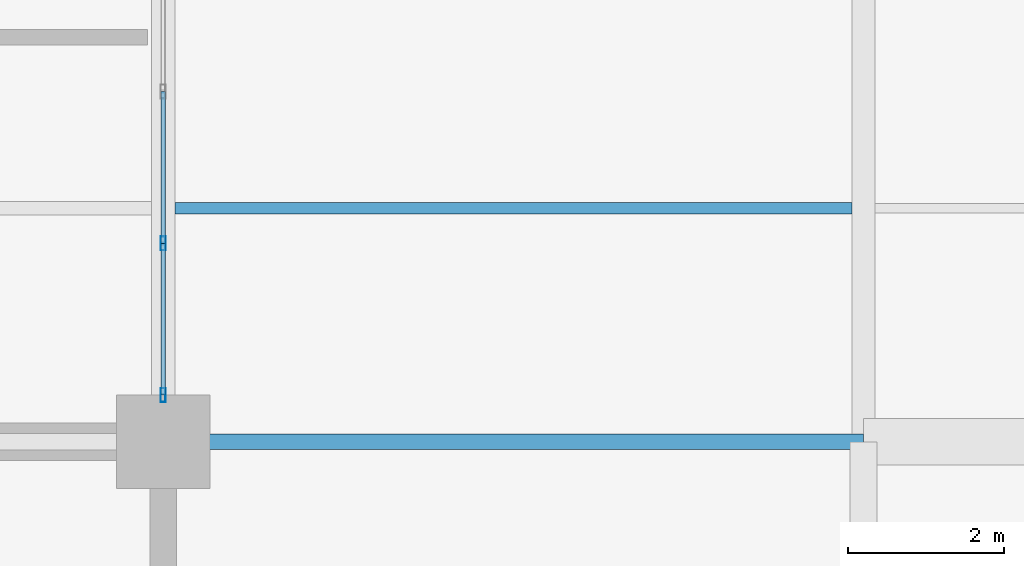
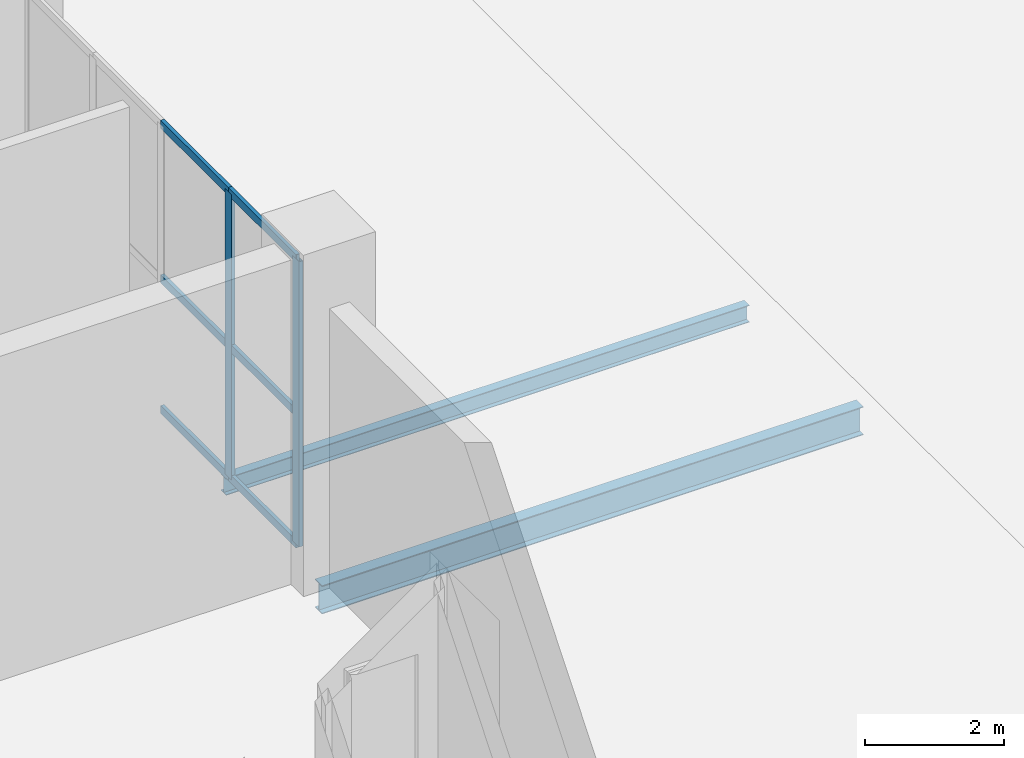
# One storey, part 40 of 144: 8 members, 2 beams, 1 element without a shape of its own.
"""IFC4 building model written with IfcOpenShell, lengths in metres."""

from ifc_helpers import new_model, si_unit, direction, frame, origin, origin_2d, place, context, subcontext, project, spatial, hollow_rectangle, i_section, extrude, material, layer, layer_set, material_profile, profile_set, type_object, element, aggregate, save


model = new_model("IFC4")

# Units and contexts
model_context = context("Model", 3, precision=1e-05, world=origin(), true_north=direction((0.0, 1.0)))
body_context = subcontext(model_context, "Body", "Model", "MODEL_VIEW")
ifc_project = project(units=[si_unit("LENGTHUNIT", "METRE"), si_unit("AREAUNIT", "SQUARE_METRE"), si_unit("VOLUMEUNIT", "CUBIC_METRE"), si_unit("PLANEANGLEUNIT", "RADIAN"), si_unit("MASSUNIT", "GRAM", prefix="KILO")], contexts=[model_context])

# Site, building, storey
site_placement = place(None, origin())
site = spatial("IfcSite", under=ifc_project, at=site_placement, CompositionType="ELEMENT")
building_placement = place(site_placement, origin())
building = spatial("IfcBuilding", under=site, at=building_placement, Name="Sundgate Opera House", CompositionType="ELEMENT")
storey_placement = place(building_placement, origin())
storey = spatial("IfcBuildingStorey", under=building, at=storey_placement, Name="L00", CompositionType="ELEMENT", Elevation=0.0)

# Beams
ifc_material_1 = material(Name="Steel S355J2", Category="steel")
ifc_material_profile_1 = material_profile(ifc_material_1, i_section(OverallWidth=0.199951171875, OverallDepth=0.5, WebThickness=0.01025390625, FlangeThickness=0.01611328125, at=origin_2d()), Name="IPE 500")
ifc_profile_set_1 = profile_set([ifc_material_profile_1], Name="Steel S355J2")
beam_type_1 = type_object("IfcBeamType", Name="BM-GR-IPE500", PredefinedType="BEAM", material=ifc_profile_set_1)
beam_1_placement = place(storey_placement, frame((72.0, 60.0, -0.570068359375), z_axis=(1.0, 0.0, 0.0), x_axis=(0.0, 1.0, 0.0)))
element("IfcBeam", 1, at=beam_1_placement, inside=storey, type_object=beam_type_1, Name="L00 Primary E-W Girder B0448", PredefinedType="BEAM", context=body_context, shape_type="SweptSolid", body=[
    extrude(i_section(OverallWidth=0.199951171875, OverallDepth=0.5, WebThickness=0.01025390625, FlangeThickness=0.01611328125, at=origin_2d()), origin(), (0.0, 0.0, 1.0), 9.0),
])
ifc_material_2 = material(Name="Steel S355J2", Category="steel")
ifc_material_profile_2 = material_profile(ifc_material_2, i_section(OverallWidth=0.14990234375, OverallDepth=0.300048828125, WebThickness=0.007080078125, FlangeThickness=0.0107421875, at=origin_2d()), Name="IPE 300")
ifc_profile_set_2 = profile_set([ifc_material_profile_2], Name="Steel S355J2")
beam_type_2 = type_object("IfcBeamType", Name="BM-JS-IPE300", PredefinedType="JOIST", material=ifc_profile_set_2)
beam_2_placement = place(storey_placement, frame((72.14990234375, 63.0, -0.469970703125), z_axis=(1.0, 0.0, 0.0), x_axis=(0.0, 1.0, 0.0)))
element("IfcBeam", 2, at=beam_2_placement, inside=storey, type_object=beam_type_2, Name="L00 Secondary Floor Joist B0816", PredefinedType="JOIST", context=body_context, shape_type="SweptSolid", body=[
    extrude(i_section(OverallWidth=0.14990234375, OverallDepth=0.300048828125, WebThickness=0.007080078125, FlangeThickness=0.0107421875, at=origin_2d()), origin(), (0.0, 0.0, 1.0), 8.7001953125),
])

# Curtain wall, members
ifc_material_3 = material(Name="Anodized aluminium and low-iron glass", Category="aluminium")
ifc_layer = layer(ifc_material_3, 0.179931640625)
ifc_layer_set = layer_set([ifc_layer], Name="Anodized aluminium and low-iron glass")
curtain_wall_type = type_object("IfcCurtainWallType", Name="CW-FOYER-GLASS", PredefinedType="NOTDEFINED", material=ifc_layer_set)
curtain_wall_placement = place(storey_placement, origin())
curtain_wall = element("IfcCurtainWall", 3, at=curtain_wall_placement, inside=storey, type_object=curtain_wall_type, Name="L00 Curtain Wall CW009", PredefinedType="NOTDEFINED")
ifc_material_4 = material(Name="Anodized aluminium EN AW-6063", Category="aluminium")
ifc_material_profile_3 = material_profile(ifc_material_4, hollow_rectangle(XDim=0.06494140625, YDim=0.179931640625, WallThickness=0.00390625, at=origin_2d()), Name="CWM 180x65x4")
ifc_profile_set_3 = profile_set([ifc_material_profile_3], Name="Anodized aluminium EN AW-6063")
member_type_1 = type_object("IfcMemberType", Name="CWM-ALU-180x65", PredefinedType="MULLION", material=ifc_profile_set_3)
member_1_placement = place(storey_placement, frame((72.0, 60.60009765625, 0.0), z_axis=(0.0, 0.0, 1.0), x_axis=(1.0, 0.0, 0.0)))
member_1 = element("IfcMember", 4, at=member_1_placement, type_object=member_type_1, Name="CW009 Mullion 1", PredefinedType="MULLION", context=body_context, shape_type="SweptSolid", body=[
    extrude(hollow_rectangle(XDim=0.06494140625, YDim=0.179931640625, WallThickness=0.00390625, at=origin_2d()), origin(), (0.0, 0.0, 1.0), 5.014892578125),
])
member_2_placement = place(storey_placement, frame((72.0, 62.550048828125, 0.0), z_axis=(0.0, 0.0, 1.0), x_axis=(1.0, 0.0, 0.0)))
member_2 = element("IfcMember", 5, at=member_2_placement, type_object=member_type_1, Name="CW009 Mullion 2", PredefinedType="MULLION", context=body_context, shape_type="SweptSolid", body=[
    extrude(hollow_rectangle(XDim=0.06494140625, YDim=0.179931640625, WallThickness=0.00390625, at=origin_2d()), origin(), (0.0, 0.0, 1.0), 5.014892578125),
])
ifc_material_5 = material(Name="Anodized aluminium EN AW-6063", Category="aluminium")
ifc_material_profile_4 = material_profile(ifc_material_5, hollow_rectangle(XDim=0.06005859375, YDim=0.139892578125, WallThickness=0.00390625, at=origin_2d()), Name="CWT 140x60x4")
ifc_profile_set_4 = profile_set([ifc_material_profile_4], Name="Anodized aluminium EN AW-6063")
member_type_2 = type_object("IfcMemberType", Name="CWT-ALU-140x60", PredefinedType="USERDEFINED", material=ifc_profile_set_4)
member_3_placement = place(storey_placement, frame((72.0, 60.60009765625, 0.0), z_axis=(0.0, 1.0, 0.0), x_axis=(-1.0, 0.0, 0.0)))
member_3 = element("IfcMember", 6, at=member_3_placement, type_object=member_type_2, Name="CW009 Transom 1", ObjectType="TRANSOM", PredefinedType="USERDEFINED", context=body_context, shape_type="SweptSolid", body=[
    extrude(hollow_rectangle(XDim=0.06005859375, YDim=0.139892578125, WallThickness=0.00390625, at=origin_2d()), origin(), (0.0, 0.0, 1.0), 1.949951171875),
])
member_4_placement = place(storey_placement, frame((72.0, 60.60009765625, 2.300048828125), z_axis=(0.0, 1.0, 0.0), x_axis=(-1.0, 0.0, 0.0)))
member_4 = element("IfcMember", 7, at=member_4_placement, type_object=member_type_2, Name="CW009 Transom 2", ObjectType="TRANSOM", PredefinedType="USERDEFINED", context=body_context, shape_type="SweptSolid", body=[
    extrude(hollow_rectangle(XDim=0.06005859375, YDim=0.139892578125, WallThickness=0.00390625, at=origin_2d()), origin(), (0.0, 0.0, 1.0), 1.949951171875),
])
member_5_placement = place(storey_placement, frame((72.0, 60.60009765625, 5.014892578125), z_axis=(0.0, 1.0, 0.0), x_axis=(-1.0, 0.0, 0.0)))
member_5 = element("IfcMember", 8, at=member_5_placement, type_object=member_type_2, Name="CW009 Transom 3", ObjectType="TRANSOM", PredefinedType="USERDEFINED", context=body_context, shape_type="SweptSolid", body=[
    extrude(hollow_rectangle(XDim=0.06005859375, YDim=0.139892578125, WallThickness=0.00390625, at=origin_2d()), origin(), (0.0, 0.0, 1.0), 1.949951171875),
])
member_6_placement = place(storey_placement, frame((72.0, 62.550048828125, 0.0), z_axis=(0.0, 1.0, 0.0), x_axis=(-1.0, 0.0, 0.0)))
member_6 = element("IfcMember", 9, at=member_6_placement, type_object=member_type_2, Name="CW009 Transom 4", ObjectType="TRANSOM", PredefinedType="USERDEFINED", context=body_context, shape_type="SweptSolid", body=[
    extrude(hollow_rectangle(XDim=0.06005859375, YDim=0.139892578125, WallThickness=0.00390625, at=origin_2d()), origin(), (0.0, 0.0, 1.0), 1.949951171875),
])
member_7_placement = place(storey_placement, frame((72.0, 62.550048828125, 2.300048828125), z_axis=(0.0, 1.0, 0.0), x_axis=(-1.0, 0.0, 0.0)))
member_7 = element("IfcMember", 10, at=member_7_placement, type_object=member_type_2, Name="CW009 Transom 5", ObjectType="TRANSOM", PredefinedType="USERDEFINED", context=body_context, shape_type="SweptSolid", body=[
    extrude(hollow_rectangle(XDim=0.06005859375, YDim=0.139892578125, WallThickness=0.00390625, at=origin_2d()), origin(), (0.0, 0.0, 1.0), 1.949951171875),
])
member_8_placement = place(storey_placement, frame((72.0, 62.550048828125, 5.014892578125), z_axis=(0.0, 1.0, 0.0), x_axis=(-1.0, 0.0, 0.0)))
member_8 = element("IfcMember", 11, at=member_8_placement, type_object=member_type_2, Name="CW009 Transom 6", ObjectType="TRANSOM", PredefinedType="USERDEFINED", context=body_context, shape_type="SweptSolid", body=[
    extrude(hollow_rectangle(XDim=0.06005859375, YDim=0.139892578125, WallThickness=0.00390625, at=origin_2d()), origin(), (0.0, 0.0, 1.0), 1.949951171875),
])
aggregate(curtain_wall, [member_1, member_2, member_3, member_4, member_5, member_6, member_7, member_8])

save(model, "model.ifc")
